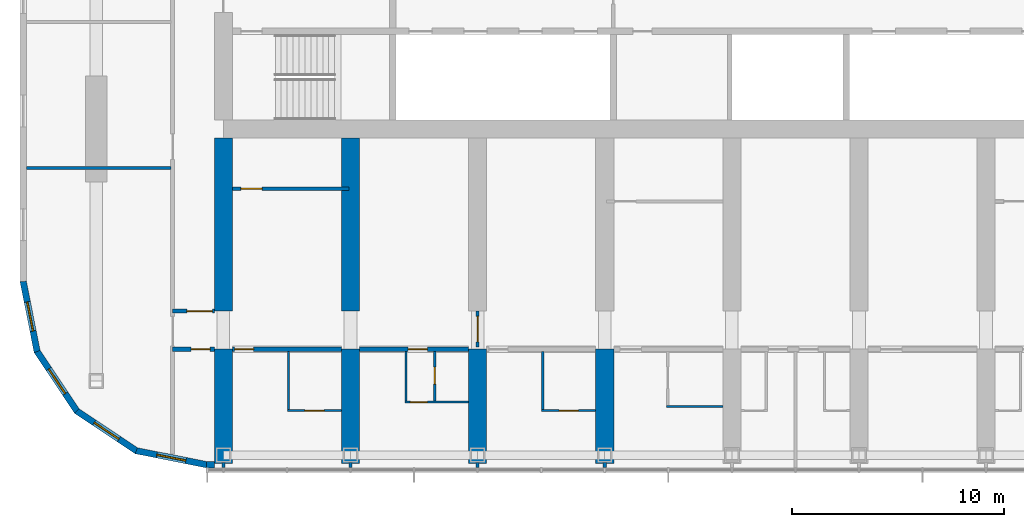
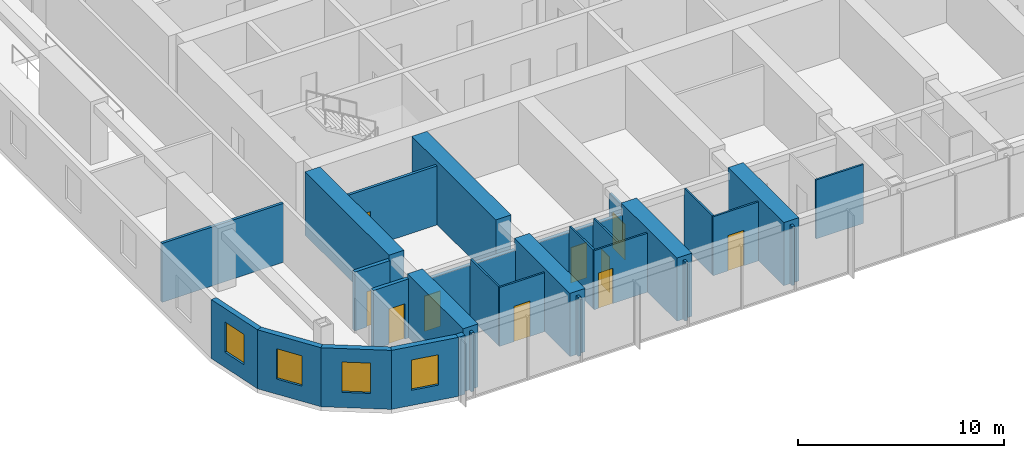
# One storey, part 10 of 22: 30 walls, 10 doors, 4 windows, 14 openings.
"""IFC4 building model written with IfcOpenShell, lengths in metres."""

from ifc_helpers import new_model, si_unit, direction, frame, frame_2d, origin, place, context, subcontext, project, spatial, polyline, rectangle, outline, extrude, material, layer, layer_set, type_object, element, fill, save


model = new_model("IFC4")

# Units and contexts
model_context = context("Model", 3, precision=1e-05, world=origin(), true_north=direction((0.0, 1.0)))
body_context = subcontext(model_context, "Body", "Model", "MODEL_VIEW")
ifc_project = project(units=[si_unit("LENGTHUNIT", "METRE"), si_unit("AREAUNIT", "SQUARE_METRE"), si_unit("VOLUMEUNIT", "CUBIC_METRE"), si_unit("PLANEANGLEUNIT", "RADIAN"), si_unit("MASSUNIT", "GRAM", prefix="KILO")], contexts=[model_context])

# Site, building, storey
site_placement = place(None, origin())
site = spatial("IfcSite", under=ifc_project, at=site_placement, CompositionType="ELEMENT")
building_placement = place(site_placement, origin())
building = spatial("IfcBuilding", under=site, at=building_placement, Name="Orbita Commons", CompositionType="ELEMENT")
storey_placement = place(building_placement, frame((0.0, 0.0, 167.35009765625)))
storey = spatial("IfcBuildingStorey", under=building, at=storey_placement, Name="L41", CompositionType="ELEMENT", Elevation=167.35009765625)

# Wall, opening, door
ifc_material_1 = material(Name="Concrete blockwork", Category="masonry")
ifc_layer_1 = layer(ifc_material_1, 0.199951171875)
ifc_layer_set_1 = layer_set([ifc_layer_1], Name="Concrete blockwork")
wall_type_1 = type_object("IfcWallType", Name="Corridor wall 200 blockwork", PredefinedType="SOLIDWALL", material=ifc_layer_set_1)
wall_1_placement = place(storey_placement, frame((15.60009765625, 15.39990234375, 0.0), z_axis=(0.0, 0.0, 1.0), x_axis=(1.0, 0.0, 0.0)))
wall_1 = element("IfcWall", 1, at=wall_1_placement, inside=storey, type_object=wall_type_1, Name="Corridor wall 200 blockwork L41", PredefinedType="SOLIDWALL", context=body_context, shape_type="SweptSolid", body=[
    extrude(rectangle(XDim=1.974853515625, YDim=0.199951171875, at=frame_2d((0.9873046875, 0.0))), origin(), (0.0, 0.0, 1.0), 3.5),
])
opening_1_placement = place(wall_1_placement, frame((0.875, 0.0, 0.0)))
opening_1 = element("IfcOpeningElement", 2, at=opening_1_placement, cuts=wall_1, Name="Opening D05", PredefinedType="OPENING", context=body_context, shape_type="SweptSolid", body=[
    extrude(rectangle(XDim=0.89990234375, YDim=2.10009765625, at=frame_2d((0.449951171875, 1.050048828125))), frame((0.0, 0.10986328125, 0.0), z_axis=(0.0, -1.0, 0.0), x_axis=(1.0, 0.0, 0.0)), (0.0, 0.0, 1.0), 0.219970703125),
])
ifc_material_2 = material(Name="Steel-faced fire door leaf", Category="steel")
door_type_1 = type_object("IfcDoorType", Name="Service door 20 min 900x2100", OperationType="SINGLE_SWING_LEFT", PredefinedType="DOOR", material=ifc_material_2)
door_1_placement = place(opening_1_placement, origin())
door_1 = element("IfcDoor", 3, at=door_1_placement, inside=storey, type_object=door_type_1, Name="Linen store L41-KWS door", OperationType="SINGLE_SWING_LEFT", OverallHeight=2.10009765625, OverallWidth=0.89990234375, PredefinedType="DOOR", context=body_context, shape_type="SweptSolid", body=[
    extrude(rectangle(XDim=0.89990234375, YDim=2.10009765625, at=frame_2d((0.449951171875, 1.050048828125))), frame((0.0, 0.02490234375, 0.0), z_axis=(0.0, -1.0, 0.0), x_axis=(1.0, 0.0, 0.0)), (0.0, 0.0, 1.0), 0.050048828125),
])
fill(opening_1, door_1)

wall_2_placement = place(storey_placement, frame((18.425048828125, 15.39990234375, 0.0), z_axis=(0.0, 0.0, 1.0), x_axis=(1.0, 0.0, 0.0)))
wall_2 = element("IfcWall", 4, at=wall_2_placement, inside=storey, type_object=wall_type_1, Name="Corridor wall 200 blockwork L41", PredefinedType="SOLIDWALL", context=body_context, shape_type="SweptSolid", body=[
    extrude(outline(polyline([(0.0, 0.0), (5.14990234375, 0.0), (5.14990234375, 3.099853515625), (0.0, 3.099853515625), (0.0, 0.0)])), frame((0.0, 0.10009765625, 0.0), z_axis=(0.0, -1.0, 0.0), x_axis=(1.0, 0.0, 0.0)), (0.0, 0.0, 1.0), 0.199951171875),
])
opening_2_placement = place(wall_2_placement, frame((0.10009765625, 0.0, 0.0)))
opening_2 = element("IfcOpeningElement", 5, at=opening_2_placement, cuts=wall_2, Name="Opening D11", PredefinedType="OPENING", context=body_context, shape_type="SweptSolid", body=[
    extrude(rectangle(XDim=0.89990234375, YDim=2.10009765625, at=frame_2d((0.449951171875, 1.050048828125))), frame((0.0, 0.10986328125, 0.0), z_axis=(0.0, -1.0, 0.0), x_axis=(1.0, 0.0, 0.0)), (0.0, 0.0, 1.0), 0.219970703125),
])
ifc_material_3 = material(Name="Steel-faced fire door leaf", Category="steel")
door_type_2 = type_object("IfcDoorType", Name="Corridor door 20 min 900x2100", OperationType="SINGLE_SWING_LEFT", PredefinedType="DOOR", material=ifc_material_3)
door_2_placement = place(opening_2_placement, origin())
door_2 = element("IfcDoor", 6, at=door_2_placement, inside=storey, type_object=door_type_2, Name="Twin room L41-S00 door", OperationType="SINGLE_SWING_LEFT", OverallHeight=2.10009765625, OverallWidth=0.89990234375, PredefinedType="DOOR", context=body_context, shape_type="SweptSolid", body=[
    extrude(rectangle(XDim=0.89990234375, YDim=2.10009765625, at=frame_2d((0.449951171875, 1.050048828125))), frame((0.0, 0.02490234375, 0.0), z_axis=(0.0, -1.0, 0.0), x_axis=(1.0, 0.0, 0.0)), (0.0, 0.0, 1.0), 0.050048828125),
])
fill(opening_2, door_2)

wall_3_placement = place(storey_placement, frame((24.425048828125, 15.39990234375, 0.0), z_axis=(0.0, 0.0, 1.0), x_axis=(1.0, 0.0, 0.0)))
wall_3 = element("IfcWall", 7, at=wall_3_placement, inside=storey, type_object=wall_type_1, Name="Corridor wall 200 blockwork L41", PredefinedType="SOLIDWALL", context=body_context, shape_type="SweptSolid", body=[
    extrude(outline(polyline([(0.0, 0.0), (5.14990234375, 0.0), (5.14990234375, 3.099853515625), (0.0, 3.099853515625), (0.0, 0.0)])), frame((0.0, 0.10009765625, 0.0), z_axis=(0.0, -1.0, 0.0), x_axis=(1.0, 0.0, 0.0)), (0.0, 0.0, 1.0), 0.199951171875),
])
opening_3_placement = place(wall_3_placement, frame((2.300048828125, 0.0, 0.0)))
opening_3 = element("IfcOpeningElement", 8, at=opening_3_placement, cuts=wall_3, Name="Opening D11", PredefinedType="OPENING", context=body_context, shape_type="SweptSolid", body=[
    extrude(rectangle(XDim=0.89990234375, YDim=2.10009765625, at=frame_2d((0.449951171875, 1.050048828125))), frame((0.0, 0.10986328125, 0.0), z_axis=(0.0, -1.0, 0.0), x_axis=(1.0, 0.0, 0.0)), (0.0, 0.0, 1.0), 0.219970703125),
])
door_3_placement = place(opening_3_placement, origin())
door_3 = element("IfcDoor", 9, at=door_3_placement, inside=storey, type_object=door_type_2, Name="Studio flat L41-S02 entrance door", OperationType="SINGLE_SWING_LEFT", OverallHeight=2.10009765625, OverallWidth=0.89990234375, PredefinedType="DOOR", context=body_context, shape_type="SweptSolid", body=[
    extrude(rectangle(XDim=0.89990234375, YDim=2.10009765625, at=frame_2d((0.449951171875, 1.050048828125))), frame((0.0, 0.02490234375, 0.0), z_axis=(0.0, -1.0, 0.0), x_axis=(1.0, 0.0, 0.0)), (0.0, 0.0, 1.0), 0.050048828125),
])
fill(opening_3, door_3)

ifc_material_4 = material(Name="Hollow concrete block 200", Category="concrete")
ifc_layer_2 = layer(ifc_material_4, 0.199951171875)
ifc_layer_set_2 = layer_set([ifc_layer_2], Name="Hollow concrete block 200")
wall_type_2 = type_object("IfcWallType", Name="Corridor wall 200 hollow concrete block", PredefinedType="SOLIDWALL", material=ifc_layer_set_2)
wall_4_placement = place(storey_placement, frame((15.60009765625, 17.199951171875, 0.0), z_axis=(0.0, 0.0, 1.0), x_axis=(1.0, 0.0, 0.0)))
wall_4 = element("IfcWall", 10, at=wall_4_placement, inside=storey, type_object=wall_type_2, Name="Corridor wall 200 hollow concrete block L41", PredefinedType="SOLIDWALL", context=body_context, shape_type="SweptSolid", body=[
    extrude(rectangle(XDim=1.974853515625, YDim=0.199951171875, at=frame_2d((0.9873046875, 0.0))), origin(), (0.0, 0.0, 1.0), 3.5),
])
opening_4_placement = place(wall_4_placement, frame((0.675048828125, 0.0, 0.0)))
opening_4 = element("IfcOpeningElement", 11, at=opening_4_placement, cuts=wall_4, Name="Opening D12", PredefinedType="OPENING", context=body_context, shape_type="SweptSolid", body=[
    extrude(rectangle(XDim=1.199951171875, YDim=2.10009765625, at=frame_2d((0.60009765625, 1.050048828125))), frame((0.0, 0.10986328125, 0.0), z_axis=(0.0, -1.0, 0.0), x_axis=(1.0, 0.0, 0.0)), (0.0, 0.0, 1.0), 0.219970703125),
])
ifc_material_5 = material(Name="Steel-faced fire door leaf", Category="steel")
door_type_3 = type_object("IfcDoorType", Name="Double corridor door 20 min 1200x2100", OperationType="DOUBLE_DOOR_SINGLE_SWING", PredefinedType="DOOR", material=ifc_material_5)
door_4_placement = place(opening_4_placement, origin())
door_4 = element("IfcDoor", 12, at=door_4_placement, inside=storey, type_object=door_type_3, Name="Cross corridor doors", OperationType="DOUBLE_DOOR_SINGLE_SWING", OverallHeight=2.10009765625, OverallWidth=1.199951171875, PredefinedType="DOOR", context=body_context, shape_type="SweptSolid", body=[
    extrude(rectangle(XDim=1.199951171875, YDim=2.10009765625, at=frame_2d((0.60009765625, 1.050048828125))), frame((0.0, 0.02490234375, 0.0), z_axis=(0.0, -1.0, 0.0), x_axis=(1.0, 0.0, 0.0)), (0.0, 0.0, 1.0), 0.050048828125),
])
fill(opening_4, door_4)

# Walls
ifc_material_6 = material(Name="Concrete C50/60", Category="concrete")
ifc_layer_3 = layer(ifc_material_6, 0.85009765625)
ifc_layer_set_3 = layer_set([ifc_layer_3], Name="Concrete C50/60")
wall_type_3 = type_object("IfcWallType", Name="Cross wall 850 C50/60", PredefinedType="SHEAR", material=ifc_layer_set_3)
wall_5_placement = place(storey_placement, frame((18.0, 10.0, 0.0), z_axis=(0.0, 0.0, 1.0), x_axis=(0.0, 1.0, 0.0)))
element("IfcWall", 13, at=wall_5_placement, inside=storey, type_object=wall_type_3, Name="Cross wall 4 south outer L41", PredefinedType="SHEAR", context=body_context, shape_type="SweptSolid", body=[
    extrude(rectangle(XDim=5.39990234375, YDim=0.85009765625, at=frame_2d((2.699951171875, 0.0))), origin(), (0.0, 0.0, 1.0), 3.75),
])
wall_6_placement = place(storey_placement, frame((18.0, 17.199951171875, 0.0), z_axis=(0.0, 0.0, 1.0), x_axis=(0.0, 1.0, 0.0)))
element("IfcWall", 14, at=wall_6_placement, inside=storey, type_object=wall_type_3, Name="Cross wall 4 south inner L41", PredefinedType="SHEAR", context=body_context, shape_type="SweptSolid", body=[
    extrude(rectangle(XDim=8.175048828125, YDim=0.85009765625, at=frame_2d((4.08740234375, 0.0))), origin(), (0.0, 0.0, 1.0), 3.75),
])
wall_7_placement = place(storey_placement, frame((24.0, 10.0, 0.0), z_axis=(0.0, 0.0, 1.0), x_axis=(0.0, 1.0, 0.0)))
element("IfcWall", 15, at=wall_7_placement, inside=storey, type_object=wall_type_3, Name="Cross wall 5 south outer L41", PredefinedType="SHEAR", context=body_context, shape_type="SweptSolid", body=[
    extrude(rectangle(XDim=5.39990234375, YDim=0.85009765625, at=frame_2d((2.699951171875, 0.0))), origin(), (0.0, 0.0, 1.0), 3.75),
])
wall_8_placement = place(storey_placement, frame((24.0, 17.199951171875, 0.0), z_axis=(0.0, 0.0, 1.0), x_axis=(0.0, 1.0, 0.0)))
element("IfcWall", 16, at=wall_8_placement, inside=storey, type_object=wall_type_3, Name="Cross wall 5 south inner L41", PredefinedType="SHEAR", context=body_context, shape_type="SweptSolid", body=[
    extrude(rectangle(XDim=8.175048828125, YDim=0.85009765625, at=frame_2d((4.08740234375, 0.0))), origin(), (0.0, 0.0, 1.0), 3.75),
])
for number, where, z_axis, x_axis, name in (
    (17, (30.0, 10.0, 0.0), (0.0, 0.0, 1.0), (0.0, 1.0, 0.0), "Cross wall 6 south outer L41"),
    (18, (36.0, 10.0, 0.0), (0.0, 0.0, 1.0), (0.0, 1.0, 0.0), "Cross wall 7 south outer L41"),
):
    element("IfcWall", number, at=place(storey_placement, frame(where, z_axis=z_axis, x_axis=x_axis)), inside=storey, type_object=wall_type_3, Name=name, PredefinedType="SHEAR", context=body_context, shape_type="SweptSolid", body=[
        extrude(rectangle(XDim=5.39990234375, YDim=0.85009765625, at=frame_2d((2.699951171875, 0.0))), origin(), (0.0, 0.0, 1.0), 3.75),
    ])

# Wall, opening, door
ifc_material_7 = material(Name="Moisture-resistant plasterboard on steel studs", Category="steel")
ifc_layer_4 = layer(ifc_material_7, 0.10009765625)
ifc_layer_set_4 = layer_set([ifc_layer_4], Name="Moisture-resistant plasterboard on steel studs")
wall_type_4 = type_object("IfcWallType", Name="En-suite partition 100", PredefinedType="PARTITIONING", material=ifc_layer_set_4)
wall_9_placement = place(storey_placement, frame((23.574951171875, 12.5, 0.0), z_axis=(0.0, 0.0, 1.0), x_axis=(-1.0, 0.0, 0.0)))
wall_9 = element("IfcWall", 19, at=wall_9_placement, inside=storey, type_object=wall_type_4, Name="En-suite partition 100 L41", PredefinedType="PARTITIONING", context=body_context, shape_type="SweptSolid", body=[
    extrude(rectangle(XDim=2.550048828125, YDim=0.10009765625, at=frame_2d((1.27490234375, 0.0))), origin(), (0.0, 0.0, 1.0), 3.5),
])
opening_5_placement = place(wall_9_placement, frame((0.824951171875, 0.0, 0.0)))
opening_5 = element("IfcOpeningElement", 20, at=opening_5_placement, cuts=wall_9, Name="Opening D09", PredefinedType="OPENING", context=body_context, shape_type="SweptSolid", body=[
    extrude(rectangle(XDim=0.89990234375, YDim=2.10009765625, at=frame_2d((0.449951171875, 1.050048828125))), frame((0.0, 0.06005859375, 0.0), z_axis=(0.0, -1.0, 0.0), x_axis=(1.0, 0.0, 0.0)), (0.0, 0.0, 1.0), 0.1201171875),
])
ifc_material_8 = material(Name="Laminated timber door leaf", Category="wood")
door_type_4 = type_object("IfcDoorType", Name="En-suite door 900x2100", OperationType="SINGLE_SWING_RIGHT", PredefinedType="DOOR", material=ifc_material_8)
door_5_placement = place(opening_5_placement, origin())
door_5 = element("IfcDoor", 21, at=door_5_placement, inside=storey, type_object=door_type_4, Name="En-suite L41-S00 door", OperationType="SINGLE_SWING_RIGHT", OverallHeight=2.10009765625, OverallWidth=0.89990234375, PredefinedType="DOOR", context=body_context, shape_type="SweptSolid", body=[
    extrude(rectangle(XDim=0.89990234375, YDim=2.10009765625, at=frame_2d((0.449951171875, 1.050048828125))), frame((0.0, 0.02490234375, 0.0), z_axis=(0.0, -1.0, 0.0), x_axis=(1.0, 0.0, 0.0)), (0.0, 0.0, 1.0), 0.050048828125),
])
fill(opening_5, door_5)

# Wall
wall_10_placement = place(storey_placement, frame((21.074951171875, 12.550048828125, 0.0), z_axis=(0.0, 0.0, 1.0), x_axis=(0.0, 1.0, 0.0)))
element("IfcWall", 22, at=wall_10_placement, inside=storey, type_object=wall_type_4, Name="En-suite partition 100 L41", PredefinedType="PARTITIONING", context=body_context, shape_type="SweptSolid", body=[
    extrude(outline(polyline([(0.0, 0.0), (2.75, 0.0), (2.75, 3.099853515625), (2.701904296875, 3.099853515625), (2.699951171875, 3.5), (0.0, 3.5), (0.0, 0.0)])), frame((0.0, 0.050048828125, 0.0), z_axis=(0.0, -1.0, 0.0), x_axis=(1.0, 0.0, 0.0)), (0.0, 0.0, 1.0), 0.10009765625),
])

# Wall, opening, door
wall_11_placement = place(storey_placement, frame((29.574951171875, 12.89990234375, 0.0), z_axis=(0.0, 0.0, 1.0), x_axis=(-1.0, 0.0, 0.0)))
wall_11 = element("IfcWall", 23, at=wall_11_placement, inside=storey, type_object=wall_type_4, Name="En-suite partition 100 L41", PredefinedType="PARTITIONING", context=body_context, shape_type="SweptSolid", body=[
    extrude(rectangle(XDim=3.0, YDim=0.10009765625, at=frame_2d((1.5, 0.0))), origin(), (0.0, 0.0, 1.0), 3.5),
])
opening_6_placement = place(wall_11_placement, frame((1.949951171875, 0.0, 0.0)))
opening_6 = element("IfcOpeningElement", 24, at=opening_6_placement, cuts=wall_11, Name="Opening D16", PredefinedType="OPENING", context=body_context, shape_type="SweptSolid", body=[
    extrude(rectangle(XDim=0.800048828125, YDim=2.10009765625, at=frame_2d((0.39990234375, 1.050048828125))), frame((0.0, 0.06005859375, 0.0), z_axis=(0.0, -1.0, 0.0), x_axis=(1.0, 0.0, 0.0)), (0.0, 0.0, 1.0), 0.1201171875),
])
ifc_material_9 = material(Name="Laminated timber door leaf", Category="wood")
door_type_5 = type_object("IfcDoorType", Name="En-suite door 800x2100", OperationType="SINGLE_SWING_RIGHT", PredefinedType="DOOR", material=ifc_material_9)
door_6_placement = place(opening_6_placement, origin())
door_6 = element("IfcDoor", 25, at=door_6_placement, inside=storey, type_object=door_type_5, Name="Studio flat L41-S02 door", OperationType="SINGLE_SWING_RIGHT", OverallHeight=2.10009765625, OverallWidth=0.800048828125, PredefinedType="DOOR", context=body_context, shape_type="SweptSolid", body=[
    extrude(rectangle(XDim=0.800048828125, YDim=2.10009765625, at=frame_2d((0.39990234375, 1.050048828125))), frame((0.0, 0.02490234375, 0.0), z_axis=(0.0, -1.0, 0.0), x_axis=(1.0, 0.0, 0.0)), (0.0, 0.0, 1.0), 0.050048828125),
])
fill(opening_6, door_6)

# Wall
wall_12_placement = place(storey_placement, frame((26.625, 12.949951171875, 0.0), z_axis=(0.0, 0.0, 1.0), x_axis=(0.0, 1.0, 0.0)))
element("IfcWall", 26, at=wall_12_placement, inside=storey, type_object=wall_type_4, Name="En-suite partition 100 L41", PredefinedType="PARTITIONING", context=body_context, shape_type="SweptSolid", body=[
    extrude(outline(polyline([(0.0, 0.0), (2.35009765625, 0.0), (2.35009765625, 3.099853515625), (2.302001953125, 3.099853515625), (2.300048828125, 3.5), (0.0, 3.5), (0.0, 0.0)])), frame((0.0, 0.050048828125, 0.0), z_axis=(0.0, -1.0, 0.0), x_axis=(1.0, 0.0, 0.0)), (0.0, 0.0, 1.0), 0.10009765625),
])

# Wall, opening, door
wall_13_placement = place(storey_placement, frame((27.97509765625, 12.949951171875, 0.0), z_axis=(0.0, 0.0, 1.0), x_axis=(0.0, 1.0, 0.0)))
wall_13 = element("IfcWall", 27, at=wall_13_placement, inside=storey, type_object=wall_type_4, Name="En-suite partition 100 L41", PredefinedType="PARTITIONING", context=body_context, shape_type="SweptSolid", body=[
    extrude(outline(polyline([(0.0, 0.0), (2.35009765625, 0.0), (2.35009765625, 3.099853515625), (2.302001953125, 3.099853515625), (2.300048828125, 3.5), (0.0, 3.5), (0.0, 0.0)])), frame((0.0, 0.050048828125, 0.0), z_axis=(0.0, -1.0, 0.0), x_axis=(1.0, 0.0, 0.0)), (0.0, 0.0, 1.0), 0.10009765625),
])
opening_7_placement = place(wall_13_placement, frame((0.800048828125, 0.0, 0.0)))
opening_7 = element("IfcOpeningElement", 28, at=opening_7_placement, cuts=wall_13, Name="Opening D16", PredefinedType="OPENING", context=body_context, shape_type="SweptSolid", body=[
    extrude(rectangle(XDim=0.800048828125, YDim=2.10009765625, at=frame_2d((0.39990234375, 1.050048828125))), frame((0.0, 0.06005859375, 0.0), z_axis=(0.0, -1.0, 0.0), x_axis=(1.0, 0.0, 0.0)), (0.0, 0.0, 1.0), 0.1201171875),
])
door_7_placement = place(opening_7_placement, origin())
door_7 = element("IfcDoor", 29, at=door_7_placement, inside=storey, type_object=door_type_5, Name="Studio flat shower room L41-S02 door", OperationType="SINGLE_SWING_RIGHT", OverallHeight=2.10009765625, OverallWidth=0.800048828125, PredefinedType="DOOR", context=body_context, shape_type="SweptSolid", body=[
    extrude(rectangle(XDim=0.800048828125, YDim=2.10009765625, at=frame_2d((0.39990234375, 1.050048828125))), frame((0.0, 0.02490234375, 0.0), z_axis=(0.0, -1.0, 0.0), x_axis=(1.0, 0.0, 0.0)), (0.0, 0.0, 1.0), 0.050048828125),
])
fill(opening_7, door_7)

wall_14_placement = place(storey_placement, frame((35.574951171875, 12.5, 0.0), z_axis=(0.0, 0.0, 1.0), x_axis=(-1.0, 0.0, 0.0)))
wall_14 = element("IfcWall", 30, at=wall_14_placement, inside=storey, type_object=wall_type_4, Name="En-suite partition 100 L41", PredefinedType="PARTITIONING", context=body_context, shape_type="SweptSolid", body=[
    extrude(rectangle(XDim=2.550048828125, YDim=0.10009765625, at=frame_2d((1.27490234375, 0.0))), origin(), (0.0, 0.0, 1.0), 3.5),
])
opening_8_placement = place(wall_14_placement, frame((0.824951171875, 0.0, 0.0)))
opening_8 = element("IfcOpeningElement", 31, at=opening_8_placement, cuts=wall_14, Name="Opening D09", PredefinedType="OPENING", context=body_context, shape_type="SweptSolid", body=[
    extrude(rectangle(XDim=0.89990234375, YDim=2.10009765625, at=frame_2d((0.449951171875, 1.050048828125))), frame((0.0, 0.06005859375, 0.0), z_axis=(0.0, -1.0, 0.0), x_axis=(1.0, 0.0, 0.0)), (0.0, 0.0, 1.0), 0.1201171875),
])
door_8_placement = place(opening_8_placement, origin())
door_8 = element("IfcDoor", 32, at=door_8_placement, inside=storey, type_object=door_type_4, Name="En-suite L41-S04 door", OperationType="SINGLE_SWING_RIGHT", OverallHeight=2.10009765625, OverallWidth=0.89990234375, PredefinedType="DOOR", context=body_context, shape_type="SweptSolid", body=[
    extrude(rectangle(XDim=0.89990234375, YDim=2.10009765625, at=frame_2d((0.449951171875, 1.050048828125))), frame((0.0, 0.02490234375, 0.0), z_axis=(0.0, -1.0, 0.0), x_axis=(1.0, 0.0, 0.0)), (0.0, 0.0, 1.0), 0.050048828125),
])
fill(opening_8, door_8)

# Walls
wall_15_placement = place(storey_placement, frame((33.074951171875, 12.550048828125, 0.0), z_axis=(0.0, 0.0, 1.0), x_axis=(0.0, 1.0, 0.0)))
element("IfcWall", 33, at=wall_15_placement, inside=storey, type_object=wall_type_4, Name="En-suite partition 100 L41", PredefinedType="PARTITIONING", context=body_context, shape_type="SweptSolid", body=[
    extrude(outline(polyline([(0.0, 0.0), (2.75, 0.0), (2.75, 3.099853515625), (2.701904296875, 3.099853515625), (2.699951171875, 3.5), (0.0, 3.5), (0.0, 0.0)])), frame((0.0, 0.050048828125, 0.0), z_axis=(0.0, -1.0, 0.0), x_axis=(1.0, 0.0, 0.0)), (0.0, 0.0, 1.0), 0.10009765625),
])
wall_16_placement = place(storey_placement, frame((38.925048828125, 12.699951171875, 0.0), z_axis=(0.0, 0.0, 1.0), x_axis=(1.0, 0.0, 0.0)))
element("IfcWall", 34, at=wall_16_placement, inside=storey, type_object=wall_type_4, Name="En-suite partition 100 L41", PredefinedType="PARTITIONING", context=body_context, shape_type="SweptSolid", body=[
    extrude(rectangle(XDim=2.64990234375, YDim=0.10009765625, at=frame_2d((1.324951171875, 0.0))), origin(), (0.0, 0.0, 1.0), 3.5),
])

# Wall, opening, door
ifc_material_10 = material(Name="Gypsum plasterboard on steel studs", Category="steel")
ifc_layer_5 = layer(ifc_material_10, 0.14990234375)
ifc_layer_set_5 = layer_set([ifc_layer_5], Name="Gypsum plasterboard on steel studs")
wall_type_5 = type_object("IfcWallType", Name="Partition 150 plasterboard", PredefinedType="PARTITIONING", material=ifc_layer_set_5)
wall_17_placement = place(storey_placement, frame((18.425048828125, 22.97509765625, 0.0), z_axis=(0.0, 0.0, 1.0), x_axis=(1.0, 0.0, 0.0)))
wall_17 = element("IfcWall", 35, at=wall_17_placement, inside=storey, type_object=wall_type_5, Name="Partition 150 plasterboard L41", PredefinedType="PARTITIONING", context=body_context, shape_type="SweptSolid", body=[
    extrude(rectangle(XDim=5.5, YDim=0.14990234375, at=frame_2d((2.75, 0.0))), origin(), (0.0, 0.0, 1.0), 3.5),
])
opening_9_placement = place(wall_17_placement, frame((0.39990234375, 0.0, 0.0)))
opening_9 = element("IfcOpeningElement", 36, at=opening_9_placement, cuts=wall_17, Name="Opening D18", PredefinedType="OPENING", context=body_context, shape_type="SweptSolid", body=[
    extrude(rectangle(XDim=1.0, YDim=2.10009765625, at=frame_2d((0.5, 1.050048828125))), frame((0.0, 0.0849609375, 0.0), z_axis=(0.0, -1.0, 0.0), x_axis=(1.0, 0.0, 0.0)), (0.0, 0.0, 1.0), 0.169921875),
])
ifc_material_11 = material(Name="Steel-faced fire door leaf", Category="steel")
door_type_6 = type_object("IfcDoorType", Name="Service door 20 min 1000x2100", OperationType="SINGLE_SWING_LEFT", PredefinedType="DOOR", material=ifc_material_11)
door_9_placement = place(opening_9_placement, origin())
door_9 = element("IfcDoor", 37, at=door_9_placement, inside=storey, type_object=door_type_6, Name="Cleaners store L41-BDS18 door", OperationType="SINGLE_SWING_LEFT", OverallHeight=2.10009765625, OverallWidth=1.0, PredefinedType="DOOR", context=body_context, shape_type="SweptSolid", body=[
    extrude(rectangle(XDim=1.0, YDim=2.10009765625, at=frame_2d((0.5, 1.050048828125))), frame((0.0, 0.02490234375, 0.0), z_axis=(0.0, -1.0, 0.0), x_axis=(1.0, 0.0, 0.0)), (0.0, 0.0, 1.0), 0.050048828125),
])
fill(opening_9, door_9)

wall_18_placement = place(storey_placement, frame((30.0, 15.5, 0.0), z_axis=(0.0, 0.0, 1.0), x_axis=(0.0, 1.0, 0.0)))
wall_18 = element("IfcWall", 38, at=wall_18_placement, inside=storey, type_object=wall_type_5, Name="Partition 150 plasterboard L41", PredefinedType="PARTITIONING", context=body_context, shape_type="SweptSolid", body=[
    extrude(outline(polyline([(0.0, 0.0), (1.699951171875, 0.0), (1.699951171875, 3.099853515625), (0.0, 3.099853515625), (0.0, 0.0)])), frame((0.0, 0.074951171875, 0.0), z_axis=(0.0, -1.0, 0.0), x_axis=(1.0, 0.0, 0.0)), (0.0, 0.0, 1.0), 0.14990234375),
])
opening_10_placement = place(wall_18_placement, frame((0.25, 0.0, 0.0)))
opening_10 = element("IfcOpeningElement", 39, at=opening_10_placement, cuts=wall_18, Name="Opening D12", PredefinedType="OPENING", context=body_context, shape_type="SweptSolid", body=[
    extrude(rectangle(XDim=1.199951171875, YDim=2.10009765625, at=frame_2d((0.60009765625, 1.050048828125))), frame((0.0, 0.0849609375, 0.0), z_axis=(0.0, -1.0, 0.0), x_axis=(1.0, 0.0, 0.0)), (0.0, 0.0, 1.0), 0.169921875),
])
door_10_placement = place(opening_10_placement, origin())
door_10 = element("IfcDoor", 40, at=door_10_placement, inside=storey, type_object=door_type_3, Name="Social spine south screen doors", OperationType="DOUBLE_DOOR_SINGLE_SWING", OverallHeight=2.10009765625, OverallWidth=1.199951171875, PredefinedType="DOOR", context=body_context, shape_type="SweptSolid", body=[
    extrude(rectangle(XDim=1.199951171875, YDim=2.10009765625, at=frame_2d((0.60009765625, 1.050048828125))), frame((0.0, 0.02490234375, 0.0), z_axis=(0.0, -1.0, 0.0), x_axis=(1.0, 0.0, 0.0)), (0.0, 0.0, 1.0), 0.050048828125),
])
fill(opening_10, door_10)

# Walls
wall_19_placement = place(storey_placement, frame((8.705078125, 23.9599609375, 0.0), z_axis=(0.0, 0.0, 1.0), x_axis=(1.0, 0.0, 0.0)))
element("IfcWall", 41, at=wall_19_placement, inside=storey, type_object=wall_type_5, Name="Partition 150 plasterboard L41", PredefinedType="PARTITIONING", context=body_context, shape_type="SweptSolid", body=[
    extrude(rectangle(XDim=6.81982421875, YDim=0.14990234375, at=frame_2d((3.409912109375, 0.0))), origin(), (0.0, 0.0, 1.0), 3.5),
])
for number, where, z_axis, x_axis, name in (
    (42, (18.0, 10.050048828125, 0.0), (0.0, 0.0, 1.0), (0.0, -1.0, 0.0), "Partition 150 plasterboard L41"),
    (43, (24.0, 10.050048828125, 0.0), (0.0, 0.0, 1.0), (0.0, -1.0, 0.0), "Partition 150 plasterboard L41"),
    (44, (30.0, 10.050048828125, 0.0), (0.0, 0.0, 1.0), (0.0, -1.0, 0.0), "Partition 150 plasterboard L41"),
    (45, (36.0, 10.050048828125, 0.0), (0.0, 0.0, 1.0), (0.0, -1.0, 0.0), "Partition 150 plasterboard L41"),
):
    element("IfcWall", number, at=place(storey_placement, frame(where, z_axis=z_axis, x_axis=x_axis)), inside=storey, type_object=wall_type_5, Name=name, PredefinedType="PARTITIONING", context=body_context, shape_type="SweptSolid", body=[
        extrude(rectangle(XDim=0.239990234375, YDim=0.14990234375, at=frame_2d((0.1201171875, 0.0))), origin(), (0.0, 0.0, 1.0), 3.5),
    ])

# Wall, opening, window
ifc_material_12 = material(Name="Precast concrete C40/50, white board-marked finish", Category="concrete")
ifc_layer_6 = layer(ifc_material_12, 0.300048828125)
ifc_layer_set_6 = layer_set([ifc_layer_6], Name="Precast concrete C40/50, white board-marked finish")
wall_type_6 = type_object("IfcWallType", Name="Precast concrete end shield 300", PredefinedType="SOLIDWALL", material=ifc_layer_set_6)
wall_20_placement = place(storey_placement, frame((8.550048828125, 18.60009765625, 0.0), z_axis=(0.0, 0.0, 1.0), x_axis=(0.19508664885, -0.980786011034, 0.0)))
wall_20 = element("IfcWall", 46, at=wall_20_placement, inside=storey, type_object=wall_type_6, Name="End shield SW chord 1 L41", PredefinedType="SOLIDWALL", context=body_context, shape_type="SweptSolid", body=[
    extrude(outline(polyline([(-0.014892578125, -0.14990234375), (3.405029296875, -0.14990234375), (3.345458984375, 0.14990234375), (0.014892578125, 0.14990234375), (-0.014892578125, -0.14990234375)])), origin(), (0.0, 0.0, 1.0), 3.5),
])
opening_11_placement = place(wall_20_placement, frame((0.987548828125, 0.0, 0.89990234375)))
opening_11 = element("IfcOpeningElement", 47, at=opening_11_placement, cuts=wall_20, Name="Opening W02", PredefinedType="OPENING", context=body_context, shape_type="SweptSolid", body=[
    extrude(rectangle(XDim=1.39990234375, YDim=1.800048828125, at=frame_2d((0.699951171875, 0.89990234375))), frame((0.0, 0.159912109375, 0.0), z_axis=(0.0, -1.0, 0.0), x_axis=(1.0, 0.0, 0.0)), (0.0, 0.0, 1.0), 0.320068359375),
])
ifc_material_13 = material(Name="Aluminium frame, clear double glazing", Category="aluminium")
window_type = type_object("IfcWindowType", Name="Deep-set window 1400x1800", PartitioningType="SINGLE_PANEL", PredefinedType="WINDOW", material=ifc_material_13)
window_1_placement = place(opening_11_placement, origin())
window_1 = element("IfcWindow", 48, at=window_1_placement, inside=storey, type_object=window_type, Name="Window L41-SW0", OverallHeight=1.800048828125, OverallWidth=1.39990234375, PartitioningType="SINGLE_PANEL", PredefinedType="WINDOW", context=body_context, shape_type="SweptSolid", body=[
    extrude(rectangle(XDim=1.39990234375, YDim=1.800048828125, at=frame_2d((0.699951171875, 0.89990234375))), frame((0.0, 0.030029296875, 0.0), z_axis=(0.0, -1.0, 0.0), x_axis=(1.0, 0.0, 0.0)), (0.0, 0.0, 1.0), 0.06005859375),
])
fill(opening_11, window_1)

wall_21_placement = place(storey_placement, frame((9.20849609375, 15.289794921875, 0.0), z_axis=(0.0, 0.0, 1.0), x_axis=(0.555534554399, -0.831493450887, 0.0)))
wall_21 = element("IfcWall", 49, at=wall_21_placement, inside=storey, type_object=wall_type_6, Name="End shield SW chord 2 L41", PredefinedType="SOLIDWALL", context=body_context, shape_type="SweptSolid", body=[
    extrude(outline(polyline([(-0.02978515625, -0.14990234375), (3.405029296875, -0.14990234375), (3.345458984375, 0.14990234375), (0.02978515625, 0.14990234375), (-0.02978515625, -0.14990234375)])), origin(), (0.0, 0.0, 1.0), 3.5),
])
opening_12_placement = place(wall_21_placement, frame((0.987548828125, 0.0, 0.89990234375)))
opening_12 = element("IfcOpeningElement", 50, at=opening_12_placement, cuts=wall_21, Name="Opening W02", PredefinedType="OPENING", context=body_context, shape_type="SweptSolid", body=[
    extrude(rectangle(XDim=1.39990234375, YDim=1.800048828125, at=frame_2d((0.699951171875, 0.89990234375))), frame((0.0, 0.159912109375, 0.0), z_axis=(0.0, -1.0, 0.0), x_axis=(1.0, 0.0, 0.0)), (0.0, 0.0, 1.0), 0.320068359375),
])
window_2_placement = place(opening_12_placement, origin())
window_2 = element("IfcWindow", 51, at=window_2_placement, inside=storey, type_object=window_type, Name="Window L41-SW1", OverallHeight=1.800048828125, OverallWidth=1.39990234375, PartitioningType="SINGLE_PANEL", PredefinedType="WINDOW", context=body_context, shape_type="SweptSolid", body=[
    extrude(rectangle(XDim=1.39990234375, YDim=1.800048828125, at=frame_2d((0.699951171875, 0.89990234375))), frame((0.0, 0.030029296875, 0.0), z_axis=(0.0, -1.0, 0.0), x_axis=(1.0, 0.0, 0.0)), (0.0, 0.0, 1.0), 0.06005859375),
])
fill(opening_12, window_2)

wall_22_placement = place(storey_placement, frame((11.08349609375, 12.4833984375, 0.0), z_axis=(0.0, 0.0, 1.0), x_axis=(0.831493450887, -0.555534554399, 0.0)))
wall_22 = element("IfcWall", 52, at=wall_22_placement, inside=storey, type_object=wall_type_6, Name="End shield SW chord 3 L41", PredefinedType="SOLIDWALL", context=body_context, shape_type="SweptSolid", body=[
    extrude(outline(polyline([(-0.02978515625, -0.14990234375), (3.405029296875, -0.14990234375), (3.345458984375, 0.14990234375), (0.02978515625, 0.14990234375), (-0.02978515625, -0.14990234375)])), origin(), (0.0, 0.0, 1.0), 3.5),
])
opening_13_placement = place(wall_22_placement, frame((0.987548828125, 0.0, 0.89990234375)))
opening_13 = element("IfcOpeningElement", 53, at=opening_13_placement, cuts=wall_22, Name="Opening W02", PredefinedType="OPENING", context=body_context, shape_type="SweptSolid", body=[
    extrude(rectangle(XDim=1.39990234375, YDim=1.800048828125, at=frame_2d((0.699951171875, 0.89990234375))), frame((0.0, 0.159912109375, 0.0), z_axis=(0.0, -1.0, 0.0), x_axis=(1.0, 0.0, 0.0)), (0.0, 0.0, 1.0), 0.320068359375),
])
window_3_placement = place(opening_13_placement, origin())
window_3 = element("IfcWindow", 54, at=window_3_placement, inside=storey, type_object=window_type, Name="Window L41-SW2", OverallHeight=1.800048828125, OverallWidth=1.39990234375, PartitioningType="SINGLE_PANEL", PredefinedType="WINDOW", context=body_context, shape_type="SweptSolid", body=[
    extrude(rectangle(XDim=1.39990234375, YDim=1.800048828125, at=frame_2d((0.699951171875, 0.89990234375))), frame((0.0, 0.030029296875, 0.0), z_axis=(0.0, -1.0, 0.0), x_axis=(1.0, 0.0, 0.0)), (0.0, 0.0, 1.0), 0.06005859375),
])
fill(opening_13, window_3)

wall_23_placement = place(storey_placement, frame((13.889892578125, 10.6083984375, 0.0), z_axis=(0.0, 0.0, 1.0), x_axis=(0.98078325777, -0.195100490205, 0.0)))
wall_23 = element("IfcWall", 55, at=wall_23_placement, inside=storey, type_object=wall_type_6, Name="End shield SW chord 4 L41", PredefinedType="SOLIDWALL", context=body_context, shape_type="SweptSolid", body=[
    extrude(outline(polyline([(-0.02978515625, -0.14990234375), (3.40478515625, -0.14990234375), (3.34521484375, 0.14990234375), (0.02978515625, 0.14990234375), (-0.02978515625, -0.14990234375)])), origin(), (0.0, 0.0, 1.0), 3.5),
])
opening_14_placement = place(wall_23_placement, frame((0.987548828125, 0.0, 0.89990234375)))
opening_14 = element("IfcOpeningElement", 56, at=opening_14_placement, cuts=wall_23, Name="Opening W02", PredefinedType="OPENING", context=body_context, shape_type="SweptSolid", body=[
    extrude(rectangle(XDim=1.39990234375, YDim=1.800048828125, at=frame_2d((0.699951171875, 0.89990234375))), frame((0.0, 0.159912109375, 0.0), z_axis=(0.0, -1.0, 0.0), x_axis=(1.0, 0.0, 0.0)), (0.0, 0.0, 1.0), 0.320068359375),
])
window_4_placement = place(opening_14_placement, origin())
window_4 = element("IfcWindow", 57, at=window_4_placement, inside=storey, type_object=window_type, Name="Window L41-SW3", OverallHeight=1.800048828125, OverallWidth=1.39990234375, PartitioningType="SINGLE_PANEL", PredefinedType="WINDOW", context=body_context, shape_type="SweptSolid", body=[
    extrude(rectangle(XDim=1.39990234375, YDim=1.800048828125, at=frame_2d((0.699951171875, 0.89990234375))), frame((0.0, 0.030029296875, 0.0), z_axis=(0.0, -1.0, 0.0), x_axis=(1.0, 0.0, 0.0)), (0.0, 0.0, 1.0), 0.06005859375),
])
fill(opening_14, window_4)

# Wall
wall_24_placement = place(storey_placement, frame((17.199951171875, 9.949951171875, 0.0), z_axis=(0.0, 0.0, 1.0), x_axis=(1.0, 0.0, 0.0)))
element("IfcWall", 58, at=wall_24_placement, inside=storey, type_object=wall_type_6, Name="End shield SW closer L41", PredefinedType="SOLIDWALL", context=body_context, shape_type="SweptSolid", body=[
    extrude(rectangle(XDim=0.375, YDim=0.300048828125, at=frame_2d((0.1875, 0.0))), origin(), (0.0, 0.0, 1.0), 3.5),
])

save(model, "model.ifc")
